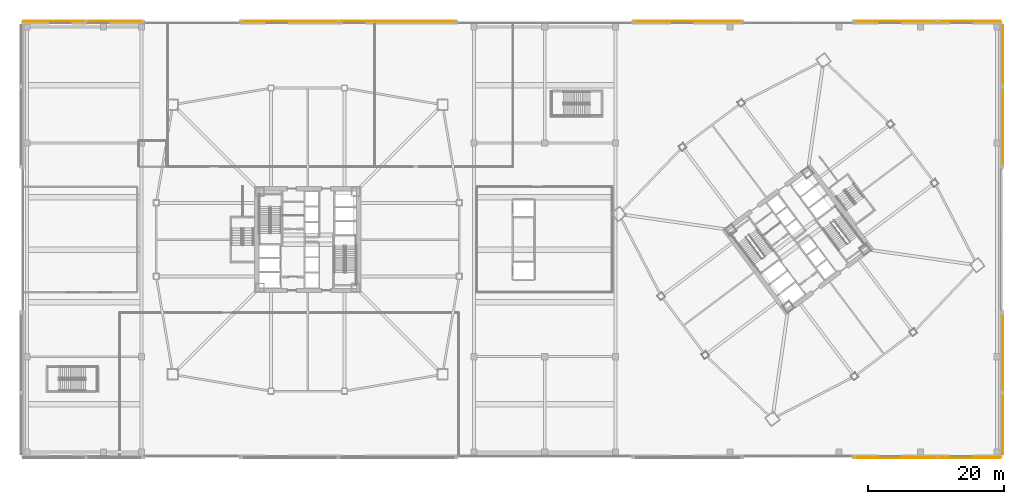
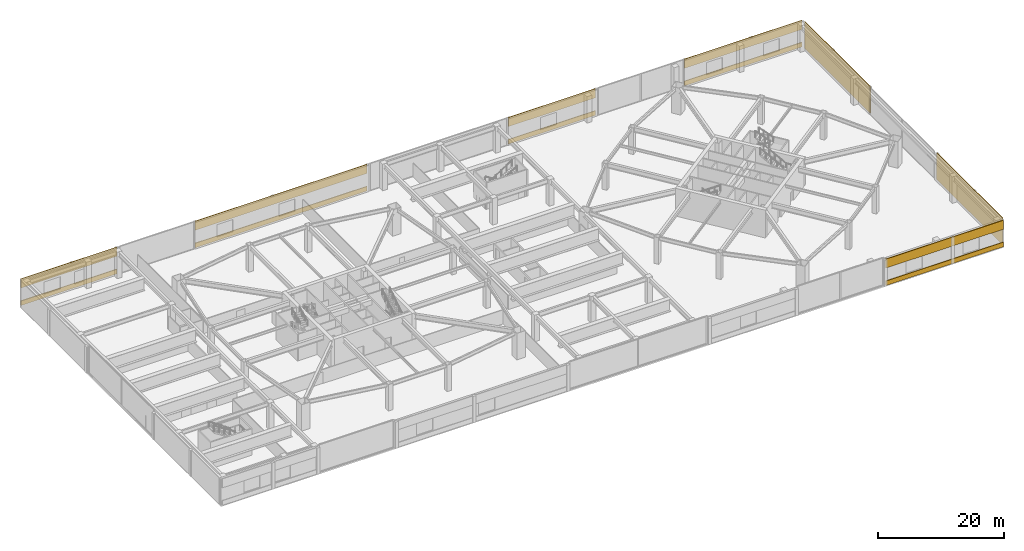
# One storey, part 48 of 48: 12 coverings.
"""IFC4 building model written with IfcOpenShell, lengths in metres."""

from ifc_helpers import new_model, si_unit, direction, frame, origin, origin_2d, place, context, subcontext, project, spatial, rectangle, extrude, material, layer, layer_set, type_object, element, save


model = new_model("IFC4")

# Units and contexts
model_context = context("Model", 3, precision=1e-05, world=origin(), true_north=direction((0.0, 1.0)))
body_context = subcontext(model_context, "Body", "Model", "MODEL_VIEW")
ifc_project = project(units=[si_unit("LENGTHUNIT", "METRE"), si_unit("AREAUNIT", "SQUARE_METRE"), si_unit("VOLUMEUNIT", "CUBIC_METRE"), si_unit("PLANEANGLEUNIT", "RADIAN"), si_unit("MASSUNIT", "GRAM", prefix="KILO")], contexts=[model_context])

# Site, building, storey
site_placement = place(None, origin())
site = spatial("IfcSite", under=ifc_project, at=site_placement, CompositionType="ELEMENT")
building_placement = place(site_placement, origin())
building = spatial("IfcBuilding", under=site, at=building_placement, Name="Tashvorn Skyway Center", CompositionType="ELEMENT")
storey_placement = place(building_placement, frame((0.0, 0.0, 10.199951171875)))
storey = spatial("IfcBuildingStorey", under=building, at=storey_placement, Name="L02", CompositionType="ELEMENT", Elevation=10.199951171875)

# Coverings
ifc_material = material(Name="Precast concrete C40/50", Category="concrete")
ifc_layer = layer(ifc_material, 0.35009765625)
ifc_layer_set = layer_set([ifc_layer], Name="Precast concrete C40/50")
covering_type = type_object("IfcCoveringType", Name="COV-STONE-TRIM", PredefinedType="CLADDING", material=ifc_layer_set)
covering_1_placement = place(storey_placement, frame((9.0, 64.0400390625, 0.0), z_axis=(0.0, 0.0, 1.0), x_axis=(1.0, 0.0, 0.0)))
element("IfcCovering", 1, at=covering_1_placement, inside=storey, type_object=covering_type, Name="L02 Limestone Sill Course N-W1", PredefinedType="CLADDING", context=body_context, shape_type="SweptSolid", body=[
    extrude(rectangle(XDim=17.60009765625, YDim=0.139892578125, at=origin_2d()), origin(), (0.0, 0.0, 1.0), 0.8798828125),
])
covering_2_placement = place(storey_placement, frame((9.0, 64.0400390625, 3.39990234375), z_axis=(0.0, 0.0, 1.0), x_axis=(1.0, 0.0, 0.0)))
element("IfcCovering", 2, at=covering_2_placement, inside=storey, type_object=covering_type, Name="L02 Limestone Spandrel Course N-W1", PredefinedType="CLADDING", context=body_context, shape_type="SweptSolid", body=[
    extrude(rectangle(XDim=17.60009765625, YDim=0.139892578125, at=origin_2d()), origin(), (0.0, 0.0, 1.0), 1.739990234375),
])
covering_3_placement = place(storey_placement, frame((48.0, 64.0400390625, 0.0), z_axis=(0.0, 0.0, 1.0), x_axis=(1.0, 0.0, 0.0)))
element("IfcCovering", 3, at=covering_3_placement, inside=storey, type_object=covering_type, Name="L02 Limestone Sill Course N-M1", PredefinedType="CLADDING", context=body_context, shape_type="SweptSolid", body=[
    extrude(rectangle(XDim=31.60009765625, YDim=0.139892578125, at=origin_2d()), origin(), (0.0, 0.0, 1.0), 0.8798828125),
])
covering_4_placement = place(storey_placement, frame((48.0, 64.0400390625, 3.39990234375), z_axis=(0.0, 0.0, 1.0), x_axis=(1.0, 0.0, 0.0)))
element("IfcCovering", 4, at=covering_4_placement, inside=storey, type_object=covering_type, Name="L02 Limestone Spandrel Course N-M1", PredefinedType="CLADDING", context=body_context, shape_type="SweptSolid", body=[
    extrude(rectangle(XDim=31.60009765625, YDim=0.139892578125, at=origin_2d()), origin(), (0.0, 0.0, 1.0), 1.739990234375),
])
covering_5_placement = place(storey_placement, frame((97.800048828125, 64.0400390625, 0.0), z_axis=(0.0, 0.0, 1.0), x_axis=(1.0, 0.0, 0.0)))
element("IfcCovering", 5, at=covering_5_placement, inside=storey, type_object=covering_type, Name="L02 Limestone Sill Course N-M2", PredefinedType="CLADDING", context=body_context, shape_type="SweptSolid", body=[
    extrude(rectangle(XDim=16.0, YDim=0.139892578125, at=origin_2d()), origin(), (0.0, 0.0, 1.0), 0.8798828125),
])
covering_6_placement = place(storey_placement, frame((97.800048828125, 64.0400390625, 3.39990234375), z_axis=(0.0, 0.0, 1.0), x_axis=(1.0, 0.0, 0.0)))
element("IfcCovering", 6, at=covering_6_placement, inside=storey, type_object=covering_type, Name="L02 Limestone Spandrel Course N-M2", PredefinedType="CLADDING", context=body_context, shape_type="SweptSolid", body=[
    extrude(rectangle(XDim=16.0, YDim=0.139892578125, at=origin_2d()), origin(), (0.0, 0.0, 1.0), 1.739990234375),
])
covering_7_placement = place(storey_placement, frame((133.0, -0.0400390625, 0.0), z_axis=(0.0, 0.0, 1.0), x_axis=(1.0, 0.0, 0.0)))
element("IfcCovering", 7, at=covering_7_placement, inside=storey, type_object=covering_type, Name="L02 Limestone Sill Course S-E1", PredefinedType="CLADDING", context=body_context, shape_type="SweptSolid", body=[
    extrude(rectangle(XDim=21.60009765625, YDim=0.139892578125, at=origin_2d()), origin(), (0.0, 0.0, 1.0), 0.8798828125),
])
covering_8_placement = place(storey_placement, frame((133.0, -0.0400390625, 3.39990234375), z_axis=(0.0, 0.0, 1.0), x_axis=(1.0, 0.0, 0.0)))
element("IfcCovering", 8, at=covering_8_placement, inside=storey, type_object=covering_type, Name="L02 Limestone Spandrel Course S-E1", PredefinedType="CLADDING", context=body_context, shape_type="SweptSolid", body=[
    extrude(rectangle(XDim=21.60009765625, YDim=0.139892578125, at=origin_2d()), origin(), (0.0, 0.0, 1.0), 1.739990234375),
])
covering_9_placement = place(storey_placement, frame((133.0, 64.0400390625, 0.0), z_axis=(0.0, 0.0, 1.0), x_axis=(1.0, 0.0, 0.0)))
element("IfcCovering", 9, at=covering_9_placement, inside=storey, type_object=covering_type, Name="L02 Limestone Sill Course N-E1", PredefinedType="CLADDING", context=body_context, shape_type="SweptSolid", body=[
    extrude(rectangle(XDim=21.60009765625, YDim=0.139892578125, at=origin_2d()), origin(), (0.0, 0.0, 1.0), 0.8798828125),
])
covering_10_placement = place(storey_placement, frame((133.0, 64.0400390625, 3.39990234375), z_axis=(0.0, 0.0, 1.0), x_axis=(1.0, 0.0, 0.0)))
element("IfcCovering", 10, at=covering_10_placement, inside=storey, type_object=covering_type, Name="L02 Limestone Spandrel Course N-E1", PredefinedType="CLADDING", context=body_context, shape_type="SweptSolid", body=[
    extrude(rectangle(XDim=21.60009765625, YDim=0.139892578125, at=origin_2d()), origin(), (0.0, 0.0, 1.0), 1.739990234375),
])
for number, where, z_axis, x_axis, name in (
    (11, (144.0400390625, 10.949951171875, 0.0), (0.0, 0.0, 1.0), (1.0, 0.0, 0.0), "L02 Limestone Rusticated Pier E-S"),
    (12, (144.0400390625, 53.050048828125, 0.0), (0.0, 0.0, 1.0), (1.0, 0.0, 0.0), "L02 Limestone Rusticated Pier E-N"),
):
    element("IfcCovering", number, at=place(storey_placement, frame(where, z_axis=z_axis, x_axis=x_axis)), inside=storey, type_object=covering_type, Name=name, PredefinedType="CLADDING", context=body_context, shape_type="SweptSolid", body=[
        extrude(rectangle(XDim=0.139892578125, YDim=20.89990234375, at=origin_2d()), origin(), (0.0, 0.0, 1.0), 5.139892578125),
    ])

save(model, "model.ifc")
